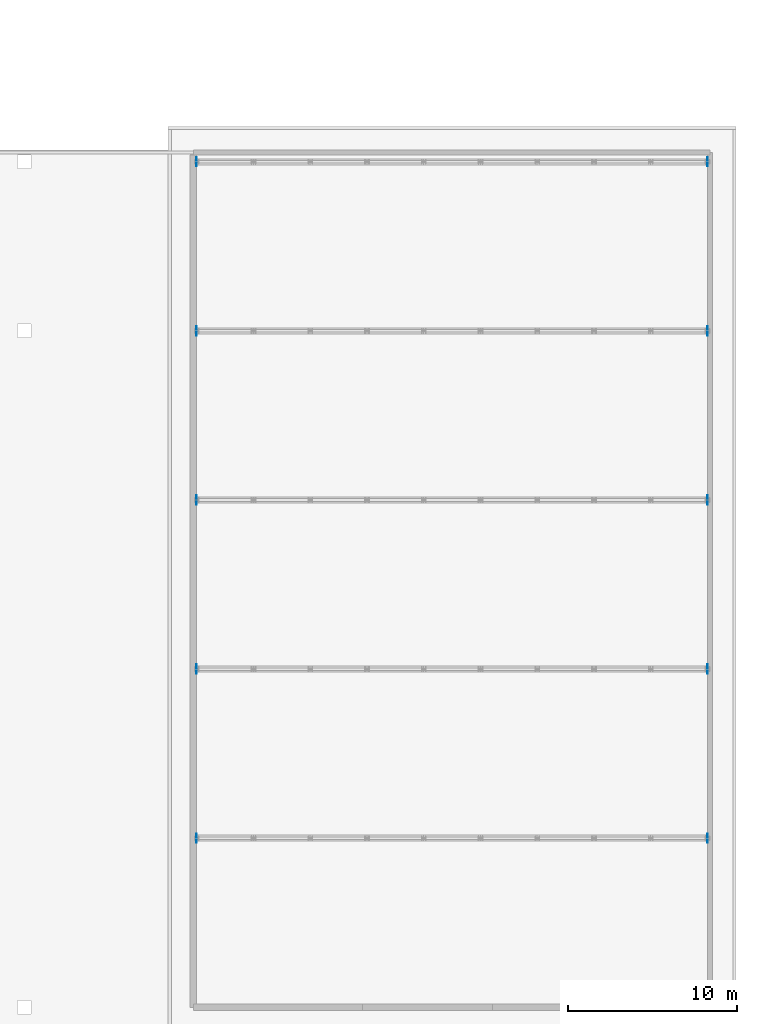
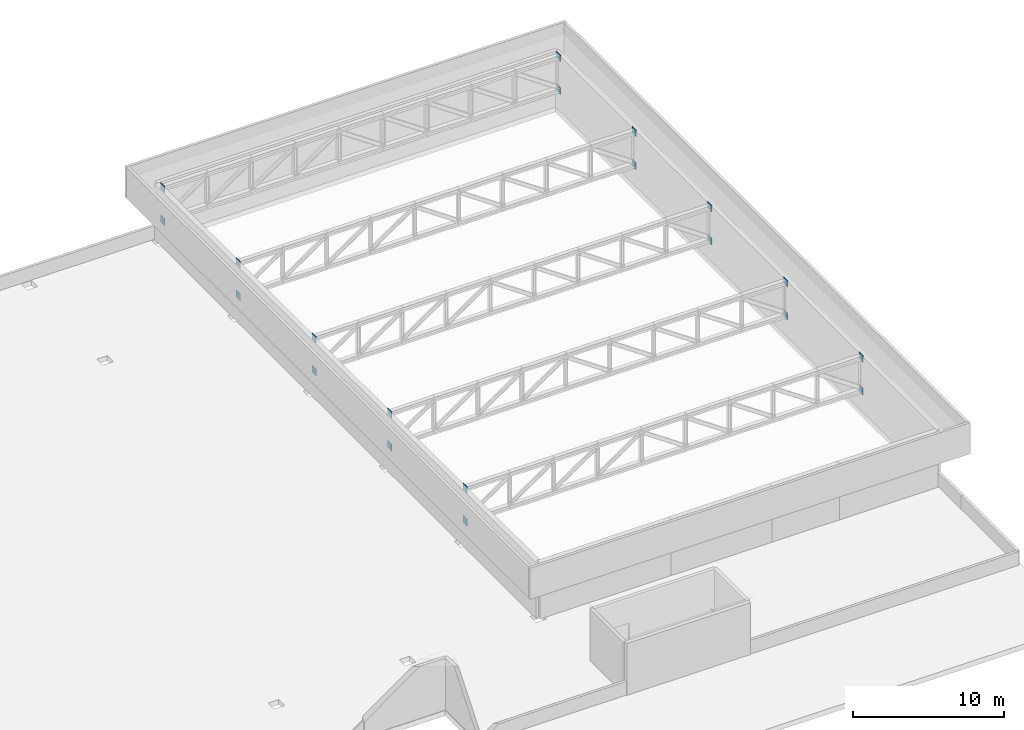
# One storey, part 27 of 31: 20 discrete accessories.
"""IFC4 building model written with IfcOpenShell, lengths in metres."""

from ifc_helpers import new_model, si_unit, direction, frame, origin, origin_2d, place, context, subcontext, project, spatial, rectangle, extrude, material, layer, layer_set, type_object, element, save


model = new_model("IFC4")

# Units and contexts
model_context = context("Model", 3, precision=1e-05, world=origin(), true_north=direction((0.0, 1.0)))
body_context = subcontext(model_context, "Body", "Model", "MODEL_VIEW")
ifc_project = project(units=[si_unit("LENGTHUNIT", "METRE"), si_unit("AREAUNIT", "SQUARE_METRE"), si_unit("VOLUMEUNIT", "CUBIC_METRE"), si_unit("PLANEANGLEUNIT", "RADIAN"), si_unit("MASSUNIT", "GRAM", prefix="KILO")], contexts=[model_context])

# Site, building, storey
site_placement = place(None, origin())
site = spatial("IfcSite", under=ifc_project, at=site_placement, CompositionType="ELEMENT")
building_placement = place(site_placement, origin())
building = spatial("IfcBuilding", under=site, at=building_placement, Name="Jabali Bay Hotel Tower and Convention Centre", CompositionType="ELEMENT")
storey_placement = place(building_placement, frame((0.0, 0.0, 25.39990234375)))
storey = spatial("IfcBuildingStorey", under=building, at=storey_placement, Name="L04", CompositionType="ELEMENT", Elevation=25.39990234375)

# Discrete accessories
ifc_material = material(Name="Steel Q355B", Category="steel")
ifc_layer = layer(ifc_material, 0.02490234375)
ifc_layer_set = layer_set([ifc_layer], Name="Steel Q355B")
discrete_accessory_type = type_object("IfcDiscreteAccessoryType", Name="CC Truss Cast-in Anchor Plate 25", PredefinedType="ANCHORPLATE", material=ifc_layer_set)
for number, where, z_axis, x_axis, name in (
    (1, (220.887451171875, 70.0, 4.05029296875), (0.0, 0.0, 1.0), (1.0, 0.0, 0.0), "CC roof truss P1 cast-in anchor plate west top"),
    (2, (251.112548828125, 70.0, 4.05029296875), (0.0, 0.0, 1.0), (1.0, 0.0, 0.0), "CC roof truss P1 cast-in anchor plate east top"),
    (3, (220.887451171875, 70.0, 1.39990234375), (0.0, 0.0, 1.0), (1.0, 0.0, 0.0), "CC roof truss P1 cast-in anchor plate west bottom"),
    (4, (251.112548828125, 70.0, 1.39990234375), (0.0, 0.0, 1.0), (1.0, 0.0, 0.0), "CC roof truss P1 cast-in anchor plate east bottom"),
    (5, (220.887451171875, 80.0, 4.05029296875), (0.0, 0.0, 1.0), (1.0, 0.0, 0.0), "CC roof truss P2 cast-in anchor plate west top"),
    (6, (251.112548828125, 80.0, 4.05029296875), (0.0, 0.0, 1.0), (1.0, 0.0, 0.0), "CC roof truss P2 cast-in anchor plate east top"),
    (7, (220.887451171875, 80.0, 1.39990234375), (0.0, 0.0, 1.0), (1.0, 0.0, 0.0), "CC roof truss P2 cast-in anchor plate west bottom"),
    (8, (251.112548828125, 80.0, 1.39990234375), (0.0, 0.0, 1.0), (1.0, 0.0, 0.0), "CC roof truss P2 cast-in anchor plate east bottom"),
    (9, (220.887451171875, 90.0, 4.05029296875), (0.0, 0.0, 1.0), (1.0, 0.0, 0.0), "CC roof truss P3 cast-in anchor plate west top"),
    (10, (251.112548828125, 90.0, 4.05029296875), (0.0, 0.0, 1.0), (1.0, 0.0, 0.0), "CC roof truss P3 cast-in anchor plate east top"),
    (11, (220.887451171875, 90.0, 1.39990234375), (0.0, 0.0, 1.0), (1.0, 0.0, 0.0), "CC roof truss P3 cast-in anchor plate west bottom"),
    (12, (251.112548828125, 90.0, 1.39990234375), (0.0, 0.0, 1.0), (1.0, 0.0, 0.0), "CC roof truss P3 cast-in anchor plate east bottom"),
    (13, (220.887451171875, 100.0, 4.05029296875), (0.0, 0.0, 1.0), (1.0, 0.0, 0.0), "CC roof truss P4 cast-in anchor plate west top"),
    (14, (251.112548828125, 100.0, 4.05029296875), (0.0, 0.0, 1.0), (1.0, 0.0, 0.0), "CC roof truss P4 cast-in anchor plate east top"),
    (15, (220.887451171875, 100.0, 1.39990234375), (0.0, 0.0, 1.0), (1.0, 0.0, 0.0), "CC roof truss P4 cast-in anchor plate west bottom"),
    (16, (251.112548828125, 100.0, 1.39990234375), (0.0, 0.0, 1.0), (1.0, 0.0, 0.0), "CC roof truss P4 cast-in anchor plate east bottom"),
    (17, (220.887451171875, 110.0, 4.05029296875), (0.0, 0.0, 1.0), (1.0, 0.0, 0.0), "CC roof truss P5 cast-in anchor plate west top"),
    (18, (251.112548828125, 110.0, 4.05029296875), (0.0, 0.0, 1.0), (1.0, 0.0, 0.0), "CC roof truss P5 cast-in anchor plate east top"),
    (19, (220.887451171875, 110.0, 1.39990234375), (0.0, 0.0, 1.0), (1.0, 0.0, 0.0), "CC roof truss P5 cast-in anchor plate west bottom"),
    (20, (251.112548828125, 110.0, 1.39990234375), (0.0, 0.0, 1.0), (1.0, 0.0, 0.0), "CC roof truss P5 cast-in anchor plate east bottom"),
):
    element("IfcDiscreteAccessory", number, at=place(storey_placement, frame(where, z_axis=z_axis, x_axis=x_axis)), inside=storey, type_object=discrete_accessory_type, Name=name, PredefinedType="ANCHORPLATE", context=body_context, shape_type="SweptSolid", body=[
        extrude(rectangle(XDim=0.02490234375, YDim=0.550048828125, at=origin_2d()), origin(), (0.0, 0.0, 1.0), 0.550048828125),
    ])

save(model, "model.ifc")
